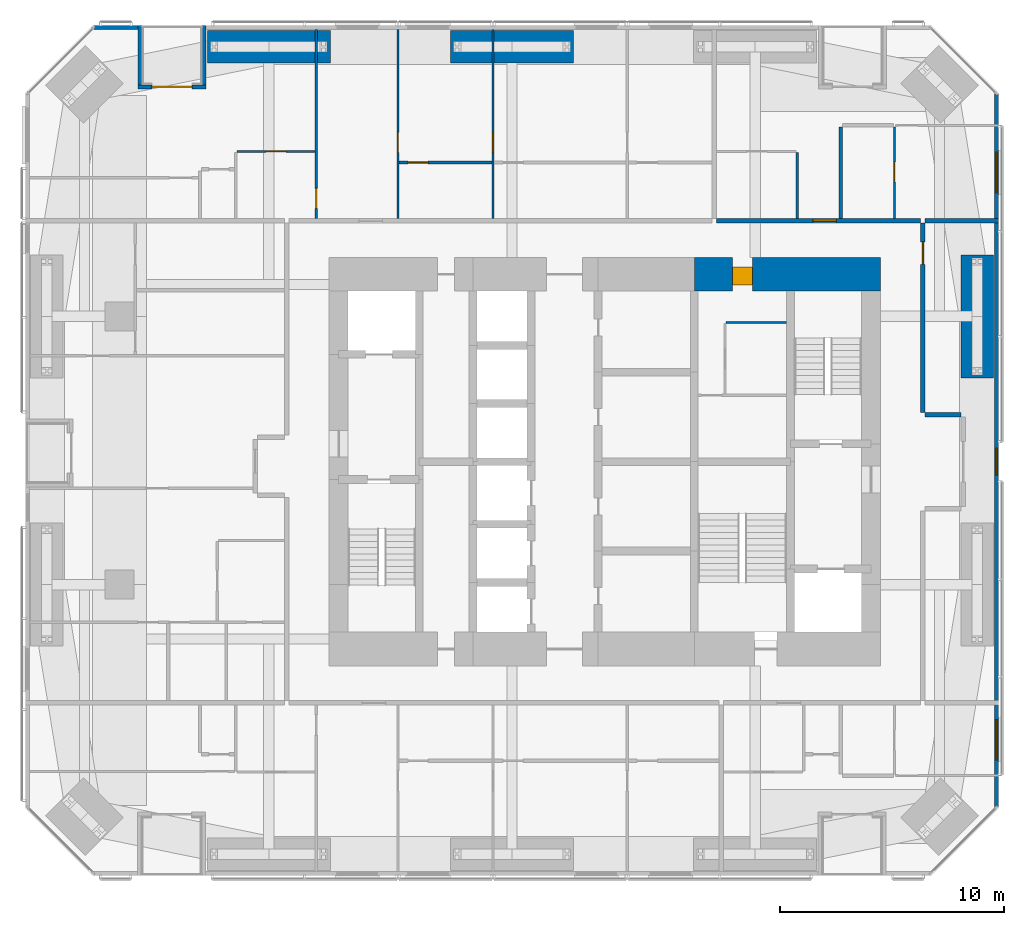
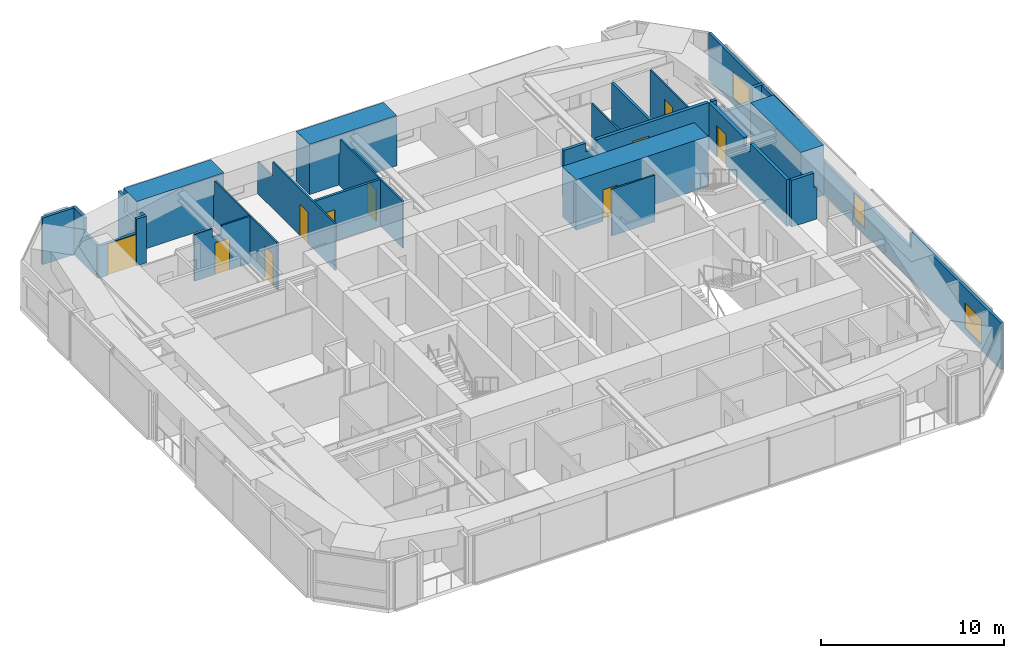
# One storey, part 21 of 23: 23 walls, 10 doors, 3 windows, 13 openings.
"""IFC4 building model written with IfcOpenShell, lengths in metres."""

from ifc_helpers import new_model, si_unit, direction, frame, frame_2d, origin, place, context, subcontext, project, spatial, polyline, rectangle, outline, extrude, material, layer, layer_set, constituent, constituent_set, type_object, element, fill, save


model = new_model("IFC4")

# Units and contexts
model_context = context("Model", 3, precision=1e-05, world=origin(), true_north=direction((0.0, 1.0)))
body_context = subcontext(model_context, "Body", "Model", "MODEL_VIEW")
ifc_project = project(units=[si_unit("LENGTHUNIT", "METRE"), si_unit("AREAUNIT", "SQUARE_METRE"), si_unit("VOLUMEUNIT", "CUBIC_METRE"), si_unit("PLANEANGLEUNIT", "RADIAN"), si_unit("MASSUNIT", "GRAM", prefix="KILO")], contexts=[model_context])

# Site, building, storey
site_placement = place(None, origin())
site = spatial("IfcSite", under=ifc_project, at=site_placement, CompositionType="ELEMENT")
building_placement = place(site_placement, origin())
building = spatial("IfcBuilding", under=site, at=building_placement, Name="Jalousie Tower", CompositionType="ELEMENT")
storey_placement = place(building_placement, frame((0.0, 0.0, 114.89990234375)))
storey = spatial("IfcBuildingStorey", under=building, at=storey_placement, Name="L31", CompositionType="ELEMENT", Elevation=114.89990234375)

# Wall, opening, door
ifc_material_1 = material(Name="Concrete block ASTM C90", Category="concrete")
ifc_constituent_1 = constituent(ifc_material_1, Name="Body")
ifc_material_2 = material(Name="Render")
ifc_constituent_2 = constituent(ifc_material_2, Name="Finish")
ifc_constituent_set_1 = constituent_set(constituents=[ifc_constituent_1, ifc_constituent_2])
wall_type_1 = type_object("IfcWallType", Name="BATHROOM WALL 150", PredefinedType="PLUMBINGWALL", material=ifc_constituent_set_1)
wall_1_placement = place(storey_placement, frame((22.699951171875, 31.875, 0.0), z_axis=(0.0, 0.0, 1.0), x_axis=(1.0, 0.0, 0.0)))
wall_1 = element("IfcWall", 1, at=wall_1_placement, inside=storey, type_object=wall_type_1, Name="Bathroom Wall 150 L31", PredefinedType="PLUMBINGWALL", context=body_context, shape_type="SweptSolid", body=[
    extrude(rectangle(XDim=4.150146484375, YDim=0.14990234375, at=frame_2d((2.0751953125, 0.0))), origin(), (0.0, 0.0, 1.0), 3.110107421875),
])
opening_1_placement = place(wall_1_placement, frame((0.39990234375, 0.0, 0.0)))
opening_1 = element("IfcOpeningElement", 2, at=opening_1_placement, cuts=wall_1, Name="Opening D3", PredefinedType="OPENING", context=body_context, shape_type="SweptSolid", body=[
    extrude(rectangle(XDim=0.89990234375, YDim=2.10009765625, at=frame_2d((0.449951171875, 1.050048828125))), frame((0.0, 0.0849609375, 0.0), z_axis=(0.0, -1.0, 0.0), x_axis=(1.0, 0.0, 0.0)), (0.0, 0.0, 1.0), 0.169921875),
])
ifc_material_3 = material(Name="Timber door", Category="wood")
door_type_1 = type_object("IfcDoorType", Name="BATHROOM DOOR 900", OperationType="SINGLE_SWING_LEFT", PredefinedType="DOOR", material=ifc_material_3)
door_1_placement = place(opening_1_placement, frame((0.89990234375, 0.0, 0.0), z_axis=(0.0, 0.0, 1.0), x_axis=(-1.0, 0.0, 0.0)))
door_1 = element("IfcDoor", 3, at=door_1_placement, inside=storey, type_object=door_type_1, Name="Apartment 3103 bedroom 1 bathroom door", OperationType="SINGLE_SWING_RIGHT", OverallHeight=2.10009765625, OverallWidth=0.89990234375, PredefinedType="DOOR", context=body_context, shape_type="SweptSolid", body=[
    extrude(rectangle(XDim=0.89990234375, YDim=2.10009765625, at=frame_2d((0.449951171875, 1.050048828125))), frame((0.0, 0.02490234375, 0.0), z_axis=(0.0, -1.0, 0.0), x_axis=(1.0, 0.0, 0.0)), (0.0, 0.0, 1.0), 0.050048828125),
])
fill(opening_1, door_1)

# Wall
wall_2_placement = place(storey_placement, frame((42.449951171875, 33.461181640625, 0.0), z_axis=(0.0, 0.0, 1.0), x_axis=(0.0, -1.0, 0.0)))
element("IfcWall", 4, at=wall_2_placement, inside=storey, type_object=wall_type_1, Name="Bathroom Wall 150 L31", PredefinedType="PLUMBINGWALL", context=body_context, shape_type="SweptSolid", body=[
    extrude(rectangle(XDim=4.086181640625, YDim=0.14990234375, at=frame_2d((2.04296875, 0.0))), origin(), (0.0, 0.0, 1.0), 3.110107421875),
])

# Wall, opening, door
ifc_material_4 = material(Name="Concrete f'c 120 MPa", Category="concrete")
ifc_layer_1 = layer(ifc_material_4, 1.5)
ifc_layer_set_1 = layer_set([ifc_layer_1], Name="Concrete f'c 120 MPa")
wall_type_2 = type_object("IfcWallType", Name="CORE WALL 1500", PredefinedType="SHEAR", material=ifc_layer_set_1)
wall_3_placement = place(storey_placement, frame((44.22509765625, 26.875, 0.0), z_axis=(0.0, 0.0, 1.0), x_axis=(-1.0, 0.0, 0.0)))
wall_3 = element("IfcWall", 5, at=wall_3_placement, inside=storey, type_object=wall_type_2, Name="Core wall NA L31", PredefinedType="SHEAR", context=body_context, shape_type="SweptSolid", body=[
    extrude(rectangle(XDim=8.3251953125, YDim=1.5, at=frame_2d((4.16259765625, 0.0))), origin(), (0.0, 0.0, 1.0), 3.35009765625),
])
opening_2_placement = place(wall_3_placement, frame((5.72509765625, 0.0, 0.0)))
opening_2 = element("IfcOpeningElement", 6, at=opening_2_placement, cuts=wall_3, Name="Opening D25", PredefinedType="OPENING", context=body_context, shape_type="SweptSolid", body=[
    extrude(rectangle(XDim=0.89990234375, YDim=2.10009765625, at=frame_2d((0.449951171875, 1.050048828125))), frame((0.0, 0.760009765625, 0.0), z_axis=(0.0, -1.0, 0.0), x_axis=(1.0, 0.0, 0.0)), (0.0, 0.0, 1.0), 1.52001953125),
])
ifc_material_5 = material(Name="Steel fire door", Category="steel")
door_type_2 = type_object("IfcDoorType", Name="SERVICE LOBBY DOOR 900", OperationType="SINGLE_SWING_LEFT", PredefinedType="DOOR", material=ifc_material_5)
door_2_placement = place(opening_2_placement, origin())
door_2 = element("IfcDoor", 7, at=door_2_placement, inside=storey, type_object=door_type_2, Name="Service lobby door", OperationType="SINGLE_SWING_LEFT", OverallHeight=2.10009765625, OverallWidth=0.89990234375, PredefinedType="DOOR", context=body_context, shape_type="SweptSolid", body=[
    extrude(rectangle(XDim=0.89990234375, YDim=2.10009765625, at=frame_2d((0.449951171875, 1.050048828125))), frame((0.0, 0.47021484375, 0.0), z_axis=(0.0, -1.0, 0.0), x_axis=(1.0, 0.0, 0.0)), (0.0, 0.0, 1.0), 0.800048828125),
])
fill(opening_2, door_2)

ifc_material_6 = material(Name="Concrete block ASTM C90", Category="concrete")
ifc_constituent_3 = constituent(ifc_material_6, Name="Body")
ifc_material_7 = material(Name="Render")
ifc_constituent_4 = constituent(ifc_material_7, Name="Finish")
ifc_constituent_set_2 = constituent_set(constituents=[ifc_constituent_3, ifc_constituent_4])
wall_type_3 = type_object("IfcWallType", Name="CORRIDOR WALL 200", PredefinedType="PARTITIONING", material=ifc_constituent_set_2)
wall_4_placement = place(storey_placement, frame((36.89990234375, 29.27490234375, 0.0), z_axis=(0.0, 0.0, 1.0), x_axis=(1.0, 0.0, 0.0)))
wall_4 = element("IfcWall", 8, at=wall_4_placement, inside=storey, type_object=wall_type_3, Name="Corridor Wall 200 L31", PredefinedType="PARTITIONING", context=body_context, shape_type="SweptSolid", body=[
    extrude(outline(polyline([(0.0, 0.0), (9.125, 0.0), (9.125, 3.110107421875), (2.0625, 3.110107421875), (2.0625, 2.541015625), (1.3876953125, 2.541015625), (1.3876953125, 3.110107421875), (0.0, 3.110107421875), (0.0, 0.0)])), frame((0.0, 0.10009765625, 0.0), z_axis=(0.0, -1.0, 0.0), x_axis=(1.0, 0.0, 0.0)), (0.0, 0.0, 1.0), 0.199951171875),
])
opening_3_placement = place(wall_4_placement, frame((4.300048828125, 0.0, 0.0)))
opening_3 = element("IfcOpeningElement", 9, at=opening_3_placement, cuts=wall_4, Name="Opening D1", PredefinedType="OPENING", context=body_context, shape_type="SweptSolid", body=[
    extrude(rectangle(XDim=1.050048828125, YDim=2.199951171875, at=frame_2d((0.52490234375, 1.10009765625))), frame((0.0, 0.10986328125, 0.0), z_axis=(0.0, -1.0, 0.0), x_axis=(1.0, 0.0, 0.0)), (0.0, 0.0, 1.0), 0.219970703125),
])
ifc_material_8 = material(Name="Timber fire door", Category="wood")
door_type_3 = type_object("IfcDoorType", Name="APARTMENT ENTRANCE DOOR 1050", OperationType="SINGLE_SWING_LEFT", PredefinedType="DOOR", material=ifc_material_8)
door_3_placement = place(opening_3_placement, origin())
door_3 = element("IfcDoor", 10, at=door_3_placement, inside=storey, type_object=door_type_3, Name="Apartment 3104 entrance", OperationType="SINGLE_SWING_RIGHT", OverallHeight=2.199951171875, OverallWidth=1.050048828125, PredefinedType="DOOR", context=body_context, shape_type="SweptSolid", body=[
    extrude(rectangle(XDim=1.050048828125, YDim=2.199951171875, at=frame_2d((0.52490234375, 1.10009765625))), frame((0.0, 0.02490234375, 0.0), z_axis=(0.0, -1.0, 0.0), x_axis=(1.0, 0.0, 0.0)), (0.0, 0.0, 1.0), 0.050048828125),
])
fill(opening_3, door_3)

wall_5_placement = place(storey_placement, frame((46.125, 20.699951171875, 0.0), z_axis=(0.0, 0.0, 1.0), x_axis=(0.0, 1.0, 0.0)))
wall_5 = element("IfcWall", 11, at=wall_5_placement, inside=storey, type_object=wall_type_3, Name="Corridor Wall 200 L31", PredefinedType="PARTITIONING", context=body_context, shape_type="SweptSolid", body=[
    extrude(outline(polyline([(0.0, 0.0), (8.47509765625, 0.0), (8.47509765625, 3.110107421875), (4.63720703125, 3.110107421875), (4.63720703125, 2.541015625), (3.962646484375, 2.541015625), (3.962646484375, 3.110107421875), (0.0, 3.110107421875), (0.0, 0.0)])), frame((0.0, 0.10009765625, 0.0), z_axis=(0.0, -1.0, 0.0), x_axis=(1.0, 0.0, 0.0)), (0.0, 0.0, 1.0), 0.199951171875),
])
opening_4_placement = place(wall_5_placement, frame((6.625, 0.0, 0.0)))
opening_4 = element("IfcOpeningElement", 12, at=opening_4_placement, cuts=wall_5, Name="Opening D21", PredefinedType="OPENING", context=body_context, shape_type="SweptSolid", body=[
    extrude(rectangle(XDim=1.0, YDim=2.10009765625, at=frame_2d((0.5, 1.050048828125))), frame((0.0, 0.10986328125, 0.0), z_axis=(0.0, -1.0, 0.0), x_axis=(1.0, 0.0, 0.0)), (0.0, 0.0, 1.0), 0.219970703125),
])
ifc_material_9 = material(Name="Timber fire door", Category="wood")
door_type_4 = type_object("IfcDoorType", Name="CORRIDOR DOOR 1000", OperationType="SINGLE_SWING_LEFT", PredefinedType="DOOR", material=ifc_material_9)
door_4_placement = place(opening_4_placement, frame((1.0, 0.0, 0.0), z_axis=(0.0, 0.0, 1.0), x_axis=(-1.0, 0.0, 0.0)))
door_4 = element("IfcDoor", 13, at=door_4_placement, inside=storey, type_object=door_type_4, Name="Lounge second door", OperationType="SINGLE_SWING_LEFT", OverallHeight=2.10009765625, OverallWidth=1.0, PredefinedType="DOOR", context=body_context, shape_type="SweptSolid", body=[
    extrude(rectangle(XDim=1.0, YDim=2.10009765625, at=frame_2d((0.5, 1.050048828125))), frame((0.0, 0.02490234375, 0.0), z_axis=(0.0, -1.0, 0.0), x_axis=(1.0, 0.0, 0.0)), (0.0, 0.0, 1.0), 0.050048828125),
])
fill(opening_4, door_4)

# Wall
wall_6_placement = place(storey_placement, frame((46.22509765625, 20.60009765625, 0.0), z_axis=(0.0, 0.0, 1.0), x_axis=(1.0, 0.0, 0.0)))
element("IfcWall", 14, at=wall_6_placement, inside=storey, type_object=wall_type_3, Name="Corridor Wall 200 L31", PredefinedType="PARTITIONING", context=body_context, shape_type="SweptSolid", body=[
    extrude(outline(polyline([(0.0, 0.0), (1.599853515625, 0.0), (1.60009765625, 3.110107421875), (1.60009765625, 2.150146484375), (1.4150390625, 2.150146484375), (1.4150390625, 3.110107421875), (0.0, 3.110107421875), (0.0, 0.0)])), frame((0.0, 0.10009765625, 0.0), z_axis=(0.0, -1.0, 0.0), x_axis=(1.0, 0.0, 0.0)), (0.0, 0.0, 1.0), 0.199951171875),
])

# Wall, openings, windows
ifc_material_10 = material(Name="Concrete f'c 40 MPa", Category="concrete")
ifc_constituent_5 = constituent(ifc_material_10, Name="Body")
ifc_material_11 = material(Name="Render, pastel sea green")
ifc_constituent_6 = constituent(ifc_material_11, Name="Finish")
ifc_constituent_set_3 = constituent_set(constituents=[ifc_constituent_5, ifc_constituent_6])
wall_type_4 = type_object("IfcWallType", Name="EXTERNAL WALL 175 SEA GREEN RENDER", PredefinedType="SOLIDWALL", material=ifc_constituent_set_3)
wall_7_placement = place(storey_placement, frame((49.41259765625, 3.05126953125, 0.0), z_axis=(0.0, 0.0, 1.0), x_axis=(0.0, 1.0, 0.0)))
wall_7 = element("IfcWall", 15, at=wall_7_placement, inside=storey, type_object=wall_type_4, Name="External Wall 175 Sea Green Render L31", PredefinedType="SOLIDWALL", context=body_context, shape_type="SweptSolid", body=[
    extrude(outline(polyline([(0.0, 0.0), (31.8974609375, 0.0), (31.8974609375, 3.110107421875), (22.167236328125, 3.110107421875), (22.167236328125, 2.150146484375), (22.074462890625, 2.150146484375), (22.074462890625, 3.110107421875), (21.94873046875, 3.110107421875), (21.94873046875, 2.150146484375), (9.94873046875, 2.150146484375), (9.94873046875, 3.110107421875), (9.822998046875, 3.110107421875), (9.822998046875, 2.150146484375), (9.72998046875, 2.150146484375), (9.72998046875, 3.110107421875), (0.0, 3.110107421875), (0.0, 0.0)])), frame((0.0, 0.08740234375, 0.0), z_axis=(0.0, -1.0, 0.0), x_axis=(1.0, 0.0, 0.0)), (0.0, 0.0, 1.0), 0.175048828125),
])
opening_5_placement = place(wall_7_placement, frame((2.1181640625, 0.0, 0.39990234375)))
opening_5 = element("IfcOpeningElement", 16, at=opening_5_placement, cuts=wall_7, Name="Opening W-BED170", PredefinedType="OPENING", context=body_context, shape_type="SweptSolid", body=[
    extrude(rectangle(XDim=1.800048828125, YDim=1.699951171875, at=frame_2d((0.89990234375, 0.85009765625))), frame((0.0, 0.097412109375, 0.0), z_axis=(0.0, -1.0, 0.0), x_axis=(1.0, 0.0, 0.0)), (0.0, 0.0, 1.0), 0.195068359375),
])
opening_6_placement = place(wall_7_placement, frame((14.8486328125, 0.0, 0.39990234375)))
opening_6 = element("IfcOpeningElement", 17, at=opening_6_placement, cuts=wall_7, Name="Opening W-COR170", PredefinedType="OPENING", context=body_context, shape_type="SweptSolid", body=[
    extrude(rectangle(XDim=1.199951171875, YDim=1.699951171875, at=frame_2d((0.60009765625, 0.85009765625))), frame((0.0, 0.097412109375, 0.0), z_axis=(0.0, -1.0, 0.0), x_axis=(1.0, 0.0, 0.0)), (0.0, 0.0, 1.0), 0.195068359375),
])
opening_7_placement = place(wall_7_placement, frame((27.479248046875, 0.0, 0.39990234375)))
opening_7 = element("IfcOpeningElement", 18, at=opening_7_placement, cuts=wall_7, Name="Opening W-BED170", PredefinedType="OPENING", context=body_context, shape_type="SweptSolid", body=[
    extrude(rectangle(XDim=1.800048828125, YDim=1.699951171875, at=frame_2d((0.89990234375, 0.85009765625))), frame((0.0, 0.097412109375, 0.0), z_axis=(0.0, -1.0, 0.0), x_axis=(1.0, 0.0, 0.0)), (0.0, 0.0, 1.0), 0.195068359375),
])
ifc_material_12 = material(Name="Aluminium frame, impact-rated glazing", Category="aluminium")
window_type_1 = type_object("IfcWindowType", Name="WINDOW BED 1800x1700", PartitioningType="SINGLE_PANEL", PredefinedType="WINDOW", material=ifc_material_12)
window_1_placement = place(opening_5_placement, origin())
window_1 = element("IfcWindow", 19, at=window_1_placement, inside=storey, type_object=window_type_1, Name="Apartment 3102 bedroom 1 window", OverallHeight=1.699951171875, OverallWidth=1.800048828125, PartitioningType="SINGLE_PANEL", PredefinedType="WINDOW", context=body_context, shape_type="SweptSolid", body=[
    extrude(rectangle(XDim=1.800048828125, YDim=1.699951171875, at=frame_2d((0.89990234375, 0.85009765625))), frame((0.0, 0.030029296875, 0.0), z_axis=(0.0, -1.0, 0.0), x_axis=(1.0, 0.0, 0.0)), (0.0, 0.0, 1.0), 0.06005859375),
])
fill(opening_5, window_1)
window_2_placement = place(opening_7_placement, origin())
window_2 = element("IfcWindow", 20, at=window_2_placement, inside=storey, type_object=window_type_1, Name="Apartment 3104 bedroom 1 window", OverallHeight=1.699951171875, OverallWidth=1.800048828125, PartitioningType="SINGLE_PANEL", PredefinedType="WINDOW", context=body_context, shape_type="SweptSolid", body=[
    extrude(rectangle(XDim=1.800048828125, YDim=1.699951171875, at=frame_2d((0.89990234375, 0.85009765625))), frame((0.0, 0.030029296875, 0.0), z_axis=(0.0, -1.0, 0.0), x_axis=(1.0, 0.0, 0.0)), (0.0, 0.0, 1.0), 0.06005859375),
])
fill(opening_7, window_2)
ifc_material_13 = material(Name="Aluminium frame, impact-rated glazing", Category="aluminium")
window_type_2 = type_object("IfcWindowType", Name="WINDOW COR 1200x1700", PartitioningType="SINGLE_PANEL", PredefinedType="WINDOW", material=ifc_material_13)
window_3_placement = place(opening_6_placement, origin())
window_3 = element("IfcWindow", 21, at=window_3_placement, inside=storey, type_object=window_type_2, Name="Residents' lounge window", OverallHeight=1.699951171875, OverallWidth=1.199951171875, PartitioningType="SINGLE_PANEL", PredefinedType="WINDOW", context=body_context, shape_type="SweptSolid", body=[
    extrude(rectangle(XDim=1.199951171875, YDim=1.699951171875, at=frame_2d((0.60009765625, 0.85009765625))), frame((0.0, 0.030029296875, 0.0), z_axis=(0.0, -1.0, 0.0), x_axis=(1.0, 0.0, 0.0)), (0.0, 0.0, 1.0), 0.06005859375),
])
fill(opening_6, window_3)

# Walls
wall_8_placement = place(storey_placement, frame((11.02490234375, 37.91259765625, 0.0), z_axis=(0.0, 0.0, 1.0), x_axis=(-1.0, 0.0, 0.0)))
element("IfcWall", 22, at=wall_8_placement, inside=storey, type_object=wall_type_4, Name="External Wall 175 Sea Green Render L31", PredefinedType="SOLIDWALL", context=body_context, shape_type="SweptSolid", body=[
    extrude(rectangle(XDim=1.9736328125, YDim=0.175048828125, at=frame_2d((0.98681640625, 0.0))), origin(), (0.0, 0.0, 1.0), 3.110107421875),
])
wall_9_placement = place(storey_placement, frame((14.074951171875, 35.262451171875, 0.0), z_axis=(0.0, 0.0, 1.0), x_axis=(-1.0, 0.0, 0.0)))
element("IfcWall", 23, at=wall_9_placement, inside=storey, type_object=wall_type_4, Name="External Wall 175 Sea Green Render L31-A", PredefinedType="SOLIDWALL", context=body_context, shape_type="SweptSolid", body=[
    extrude(rectangle(XDim=0.625, YDim=0.175048828125, at=frame_2d((0.3125, 0.0))), origin(), (0.0, 0.0, 1.0), 3.110107421875),
])

# Wall, opening, door
wall_10_placement = place(storey_placement, frame((13.449951171875, 35.262451171875, 0.0), z_axis=(0.0, 0.0, 1.0), x_axis=(-1.0, 0.0, 0.0)))
wall_10 = element("IfcWall", 24, at=wall_10_placement, inside=storey, type_object=wall_type_4, Name="External Wall 175 Sea Green Render L31-B", PredefinedType="SOLIDWALL", context=body_context, shape_type="SweptSolid", body=[
    extrude(rectangle(XDim=2.425048828125, YDim=0.175048828125, at=frame_2d((1.21240234375, 0.0))), origin(), (0.0, 0.0, 1.0), 2.150146484375),
])
opening_8_placement = place(wall_10_placement, origin())
opening_8 = element("IfcOpeningElement", 25, at=opening_8_placement, cuts=wall_10, Name="Opening D-BAL21", PredefinedType="OPENING", context=body_context, shape_type="SweptSolid", body=[
    extrude(rectangle(XDim=1.800048828125, YDim=2.10009765625, at=frame_2d((0.89990234375, 1.050048828125))), frame((0.0, 0.097412109375, 0.0), z_axis=(0.0, -1.0, 0.0), x_axis=(1.0, 0.0, 0.0)), (0.0, 0.0, 1.0), 0.195068359375),
])
ifc_material_14 = material(Name="Aluminium frame, impact-rated glazing", Category="aluminium")
door_type_5 = type_object("IfcDoorType", Name="BALCONY DOOR 1800x2100", OperationType="SLIDING_TO_LEFT", PredefinedType="DOOR", material=ifc_material_14)
door_5_placement = place(opening_8_placement, origin())
door_5 = element("IfcDoor", 26, at=door_5_placement, inside=storey, type_object=door_type_5, Name="Apartment 3103 living and dining room loggia door", OperationType="SLIDING_TO_LEFT", OverallHeight=2.10009765625, OverallWidth=1.800048828125, PredefinedType="DOOR", context=body_context, shape_type="SweptSolid", body=[
    extrude(rectangle(XDim=1.800048828125, YDim=2.10009765625, at=frame_2d((0.89990234375, 1.050048828125))), frame((0.0, 0.02490234375, 0.0), z_axis=(0.0, -1.0, 0.0), x_axis=(1.0, 0.0, 0.0)), (0.0, 0.0, 1.0), 0.050048828125),
])
fill(opening_8, door_5)

# Walls
wall_11_placement = place(storey_placement, frame((13.987548828125, 38.0, 0.0), z_axis=(0.0, 0.0, 1.0), x_axis=(0.0, -1.0, 0.0)))
element("IfcWall", 27, at=wall_11_placement, inside=storey, type_object=wall_type_4, Name="External Wall 175 Sea Green Render L31", PredefinedType="SOLIDWALL", context=body_context, shape_type="SweptSolid", body=[
    extrude(outline(polyline([(0.0, 0.0), (2.64990234375, 0.0), (2.64990234375, 3.110107421875), (2.373291015625, 3.110107421875), (2.373291015625, 2.150146484375), (0.70458984375, 2.150146484375), (0.70458984375, 3.110107421875), (0.0, 3.110107421875), (0.0, 0.0)])), frame((0.0, 0.08740234375, 0.0), z_axis=(0.0, -1.0, 0.0), x_axis=(1.0, 0.0, 0.0)), (0.0, 0.0, 1.0), 0.175048828125),
])
wall_12_placement = place(storey_placement, frame((11.112548828125, 38.0, 0.0), z_axis=(0.0, 0.0, 1.0), x_axis=(0.0, -1.0, 0.0)))
element("IfcWall", 28, at=wall_12_placement, inside=storey, type_object=wall_type_4, Name="External Wall 175 Sea Green Render L31", PredefinedType="SOLIDWALL", context=body_context, shape_type="SweptSolid", body=[
    extrude(outline(polyline([(0.0, 0.0), (2.64990234375, 0.0), (2.64990234375, 2.150146484375), (1.291015625, 2.150146484375), (1.291015625, 3.110107421875), (0.0, 3.110107421875), (0.0, 0.0)])), frame((0.0, 0.08740234375, 0.0), z_axis=(0.0, -1.0, 0.0), x_axis=(1.0, 0.0, 0.0)), (0.0, 0.0, 1.0), 0.175048828125),
])

# Wall, opening, door
ifc_material_15 = material(Name="Gypsum board", Category="gypsum")
ifc_constituent_7 = constituent(ifc_material_15, Name="Body")
ifc_material_16 = material(Name="Light-gauge steel studs ASTM A653 SS Grade 33", Category="steel")
ifc_constituent_8 = constituent(ifc_material_16, Name="Framing")
ifc_constituent_set_4 = constituent_set(constituents=[ifc_constituent_7, ifc_constituent_8])
wall_type_5 = type_object("IfcWallType", Name="PARTITION 100", PredefinedType="PARTITIONING", material=ifc_constituent_set_4)
wall_13_placement = place(storey_placement, frame((22.64990234375, 37.824951171875, 0.0), z_axis=(0.0, 0.0, 1.0), x_axis=(0.0, -1.0, 0.0)))
wall_13 = element("IfcWall", 29, at=wall_13_placement, inside=storey, type_object=wall_type_5, Name="Partition 100 L31", PredefinedType="PARTITIONING", context=body_context, shape_type="SweptSolid", body=[
    extrude(outline(polyline([(0.0, 0.0), (8.449951171875, 0.0), (8.449951171875, 3.110107421875), (1.635009765625, 3.110107421875), (1.635009765625, 2.150146484375), (0.0, 2.150146484375), (0.0, 3.110107421875), (0.0, 0.0)])), frame((0.0, 0.050048828125, 0.0), z_axis=(0.0, -1.0, 0.0), x_axis=(1.0, 0.0, 0.0)), (0.0, 0.0, 1.0), 0.10009765625),
])
opening_9_placement = place(wall_13_placement, frame((4.60009765625, 0.0, 0.0)))
opening_9 = element("IfcOpeningElement", 30, at=opening_9_placement, cuts=wall_13, Name="Opening D2", PredefinedType="OPENING", context=body_context, shape_type="SweptSolid", body=[
    extrude(rectangle(XDim=0.89990234375, YDim=2.10009765625, at=frame_2d((0.449951171875, 1.050048828125))), frame((0.0, 0.06005859375, 0.0), z_axis=(0.0, -1.0, 0.0), x_axis=(1.0, 0.0, 0.0)), (0.0, 0.0, 1.0), 0.1201171875),
])
ifc_material_17 = material(Name="Timber door", Category="wood")
door_type_6 = type_object("IfcDoorType", Name="BEDROOM DOOR 900", OperationType="SINGLE_SWING_LEFT", PredefinedType="DOOR", material=ifc_material_17)
door_6_placement = place(opening_9_placement, origin())
door_6 = element("IfcDoor", 31, at=door_6_placement, inside=storey, type_object=door_type_6, Name="Apartment 3103 bedroom 1 door", OperationType="SINGLE_SWING_RIGHT", OverallHeight=2.10009765625, OverallWidth=0.89990234375, PredefinedType="DOOR", context=body_context, shape_type="SweptSolid", body=[
    extrude(rectangle(XDim=0.89990234375, YDim=2.10009765625, at=frame_2d((0.449951171875, 1.050048828125))), frame((0.0, 0.02490234375, 0.0), z_axis=(0.0, -1.0, 0.0), x_axis=(1.0, 0.0, 0.0)), (0.0, 0.0, 1.0), 0.050048828125),
])
fill(opening_9, door_6)

wall_14_placement = place(storey_placement, frame((26.89990234375, 37.824951171875, 0.0), z_axis=(0.0, 0.0, 1.0), x_axis=(0.0, -1.0, 0.0)))
wall_14 = element("IfcWall", 32, at=wall_14_placement, inside=storey, type_object=wall_type_5, Name="Partition 100 L31", PredefinedType="PARTITIONING", context=body_context, shape_type="SweptSolid", body=[
    extrude(outline(polyline([(0.52880859375, 2.150146484375), (0.0, 2.150146484375), (0.0, 0.0), (0.52880859375, 0.0), (0.52880859375, 0.888916015625), (1.021240234375, 0.888916015625), (1.021240234375, 0.0), (8.449951171875, 0.0), (8.449951171875, 3.110107421875), (1.635009765625, 3.110107421875), (1.635009765625, 2.150146484375), (1.021240234375, 2.150146484375), (1.021240234375, 1.26123046875), (0.52880859375, 1.26123046875), (0.52880859375, 2.150146484375)])), frame((0.0, 0.050048828125, 0.0), z_axis=(0.0, -1.0, 0.0), x_axis=(1.0, 0.0, 0.0)), (0.0, 0.0, 1.0), 0.10009765625),
])
opening_10_placement = place(wall_14_placement, frame((4.60009765625, 0.0, 0.0)))
opening_10 = element("IfcOpeningElement", 33, at=opening_10_placement, cuts=wall_14, Name="Opening D2", PredefinedType="OPENING", context=body_context, shape_type="SweptSolid", body=[
    extrude(rectangle(XDim=0.89990234375, YDim=2.10009765625, at=frame_2d((0.449951171875, 1.050048828125))), frame((0.0, 0.06005859375, 0.0), z_axis=(0.0, -1.0, 0.0), x_axis=(1.0, 0.0, 0.0)), (0.0, 0.0, 1.0), 0.1201171875),
])
door_7_placement = place(opening_10_placement, origin())
door_7 = element("IfcDoor", 34, at=door_7_placement, inside=storey, type_object=door_type_6, Name="Apartment 3103 bedroom 2 door", OperationType="SINGLE_SWING_RIGHT", OverallHeight=2.10009765625, OverallWidth=0.89990234375, PredefinedType="DOOR", context=body_context, shape_type="SweptSolid", body=[
    extrude(rectangle(XDim=0.89990234375, YDim=2.10009765625, at=frame_2d((0.449951171875, 1.050048828125))), frame((0.0, 0.02490234375, 0.0), z_axis=(0.0, -1.0, 0.0), x_axis=(1.0, 0.0, 0.0)), (0.0, 0.0, 1.0), 0.050048828125),
])
fill(opening_10, door_7)

wall_15_placement = place(storey_placement, frame((19.0, 37.824951171875, 0.0), z_axis=(0.0, 0.0, 1.0), x_axis=(0.0, -1.0, 0.0)))
wall_15 = element("IfcWall", 35, at=wall_15_placement, inside=storey, type_object=wall_type_5, Name="Partition 100 L31", PredefinedType="PARTITIONING", context=body_context, shape_type="SweptSolid", body=[
    extrude(outline(polyline([(0.52880859375, 2.150146484375), (0.0, 2.150146484375), (0.0, 0.0), (0.52880859375, 0.0), (0.52880859375, 0.01708984375), (1.021240234375, 0.01708984375), (1.021240234375, 0.0), (8.449951171875, 0.0), (8.449951171875, 3.110107421875), (1.635009765625, 3.110107421875), (1.635009765625, 2.150146484375), (1.021240234375, 2.150146484375), (1.021240234375, 2.133056640625), (0.52880859375, 2.133056640625), (0.52880859375, 2.150146484375)])), frame((0.0, 0.050048828125, 0.0), z_axis=(0.0, -1.0, 0.0), x_axis=(1.0, 0.0, 0.0)), (0.0, 0.0, 1.0), 0.10009765625),
])
opening_11_placement = place(wall_15_placement, frame((7.10009765625, 0.0, 0.0)))
opening_11 = element("IfcOpeningElement", 36, at=opening_11_placement, cuts=wall_15, Name="Opening D2", PredefinedType="OPENING", context=body_context, shape_type="SweptSolid", body=[
    extrude(rectangle(XDim=0.89990234375, YDim=2.10009765625, at=frame_2d((0.449951171875, 1.050048828125))), frame((0.0, 0.06005859375, 0.0), z_axis=(0.0, -1.0, 0.0), x_axis=(1.0, 0.0, 0.0)), (0.0, 0.0, 1.0), 0.1201171875),
])
door_8_placement = place(opening_11_placement, origin())
door_8 = element("IfcDoor", 37, at=door_8_placement, inside=storey, type_object=door_type_6, Name="Apartment 3103 study door", OperationType="SINGLE_SWING_RIGHT", OverallHeight=2.10009765625, OverallWidth=0.89990234375, PredefinedType="DOOR", context=body_context, shape_type="SweptSolid", body=[
    extrude(rectangle(XDim=0.89990234375, YDim=2.10009765625, at=frame_2d((0.449951171875, 1.050048828125))), frame((0.0, 0.02490234375, 0.0), z_axis=(0.0, -1.0, 0.0), x_axis=(1.0, 0.0, 0.0)), (0.0, 0.0, 1.0), 0.050048828125),
])
fill(opening_11, door_8)

wall_16_placement = place(storey_placement, frame((15.449951171875, 32.375, 0.0), z_axis=(0.0, 0.0, 1.0), x_axis=(1.0, 0.0, 0.0)))
wall_16 = element("IfcWall", 38, at=wall_16_placement, inside=storey, type_object=wall_type_5, Name="Partition 100 L31", PredefinedType="PARTITIONING", context=body_context, shape_type="SweptSolid", body=[
    extrude(outline(polyline([(0.0, 0.0), (3.5, 0.0), (3.5, 3.110107421875), (1.71240234375, 3.110107421875), (1.71240234375, 2.541015625), (1.1376953125, 2.541015625), (1.1376953125, 3.110107421875), (0.0, 3.110107421875), (0.0, 0.0)])), frame((0.0, 0.050048828125, 0.0), z_axis=(0.0, -1.0, 0.0), x_axis=(1.0, 0.0, 0.0)), (0.0, 0.0, 1.0), 0.10009765625),
])
opening_12_placement = place(wall_16_placement, frame((1.300048828125, 0.0, 0.0)))
opening_12 = element("IfcOpeningElement", 39, at=opening_12_placement, cuts=wall_16, Name="Opening D7", PredefinedType="OPENING", context=body_context, shape_type="SweptSolid", body=[
    extrude(rectangle(XDim=0.89990234375, YDim=2.10009765625, at=frame_2d((0.449951171875, 1.050048828125))), frame((0.0, 0.06005859375, 0.0), z_axis=(0.0, -1.0, 0.0), x_axis=(1.0, 0.0, 0.0)), (0.0, 0.0, 1.0), 0.1201171875),
])
ifc_material_18 = material(Name="Timber door", Category="wood")
door_type_7 = type_object("IfcDoorType", Name="INTERNAL DOOR 900", OperationType="SINGLE_SWING_LEFT", PredefinedType="DOOR", material=ifc_material_18)
door_9_placement = place(opening_12_placement, origin())
door_9 = element("IfcDoor", 40, at=door_9_placement, inside=storey, type_object=door_type_7, Name="Apartment 3103 kitchen door", OperationType="SINGLE_SWING_RIGHT", OverallHeight=2.10009765625, OverallWidth=0.89990234375, PredefinedType="DOOR", context=body_context, shape_type="SweptSolid", body=[
    extrude(rectangle(XDim=0.89990234375, YDim=2.10009765625, at=frame_2d((0.449951171875, 1.050048828125))), frame((0.0, 0.02490234375, 0.0), z_axis=(0.0, -1.0, 0.0), x_axis=(1.0, 0.0, 0.0)), (0.0, 0.0, 1.0), 0.050048828125),
])
fill(opening_12, door_9)

wall_17_placement = place(storey_placement, frame((44.85009765625, 33.461181640625, 0.0), z_axis=(0.0, 0.0, 1.0), x_axis=(0.0, -1.0, 0.0)))
wall_17 = element("IfcWall", 41, at=wall_17_placement, inside=storey, type_object=wall_type_5, Name="Partition 100 L31", PredefinedType="PARTITIONING", context=body_context, shape_type="SweptSolid", body=[
    extrude(rectangle(XDim=4.086181640625, YDim=0.10009765625, at=frame_2d((2.04296875, 0.0))), origin(), (0.0, 0.0, 1.0), 3.110107421875),
])
opening_13_placement = place(wall_17_placement, frame((1.5556640625, 0.0, 0.0)))
opening_13 = element("IfcOpeningElement", 42, at=opening_13_placement, cuts=wall_17, Name="Opening D3", PredefinedType="OPENING", context=body_context, shape_type="SweptSolid", body=[
    extrude(rectangle(XDim=0.89990234375, YDim=2.10009765625, at=frame_2d((0.449951171875, 1.050048828125))), frame((0.0, 0.06005859375, 0.0), z_axis=(0.0, -1.0, 0.0), x_axis=(1.0, 0.0, 0.0)), (0.0, 0.0, 1.0), 0.1201171875),
])
door_10_placement = place(opening_13_placement, frame((0.89990234375, 0.0, 0.0), z_axis=(0.0, 0.0, 1.0), x_axis=(-1.0, 0.0, 0.0)))
door_10 = element("IfcDoor", 43, at=door_10_placement, inside=storey, type_object=door_type_1, Name="Apartment 3104 bedroom 1 bathroom door", OperationType="SINGLE_SWING_RIGHT", OverallHeight=2.10009765625, OverallWidth=0.89990234375, PredefinedType="DOOR", context=body_context, shape_type="SweptSolid", body=[
    extrude(rectangle(XDim=0.89990234375, YDim=2.10009765625, at=frame_2d((0.449951171875, 1.050048828125))), frame((0.0, 0.02490234375, 0.0), z_axis=(0.0, -1.0, 0.0), x_axis=(1.0, 0.0, 0.0)), (0.0, 0.0, 1.0), 0.050048828125),
])
fill(opening_13, door_10)

# Walls
wall_18_placement = place(storey_placement, frame((40.5, 32.324951171875, 0.0), z_axis=(0.0, 0.0, 1.0), x_axis=(0.0, -1.0, 0.0)))
element("IfcWall", 44, at=wall_18_placement, inside=storey, type_object=wall_type_5, Name="Partition 100 L31", PredefinedType="PARTITIONING", context=body_context, shape_type="SweptSolid", body=[
    extrude(rectangle(XDim=2.949951171875, YDim=0.10009765625, at=frame_2d((1.47509765625, 0.0))), origin(), (0.0, 0.0, 1.0), 3.110107421875),
])
wall_19_placement = place(storey_placement, frame((37.324951171875, 24.72509765625, 0.0), z_axis=(0.0, 0.0, 1.0), x_axis=(1.0, 0.0, 0.0)))
element("IfcWall", 45, at=wall_19_placement, inside=storey, type_object=wall_type_5, Name="Partition 100 L31", PredefinedType="PARTITIONING", context=body_context, shape_type="SweptSolid", body=[
    extrude(rectangle(XDim=2.699951171875, YDim=0.10009765625, at=frame_2d((1.35009765625, 0.0))), origin(), (0.0, 0.0, 1.0), 3.110107421875),
])
ifc_material_19 = material(Name="Concrete block ASTM C90", Category="concrete")
ifc_constituent_9 = constituent(ifc_material_19, Name="Body")
ifc_material_20 = material(Name="Render")
ifc_constituent_10 = constituent(ifc_material_20, Name="Finish")
ifc_constituent_set_5 = constituent_set(constituents=[ifc_constituent_9, ifc_constituent_10])
wall_type_6 = type_object("IfcWallType", Name="PARTY WALL 200", PredefinedType="PARTITIONING", material=ifc_constituent_set_5)
wall_20_placement = place(storey_placement, frame((46.22509765625, 29.27490234375, 0.0), z_axis=(0.0, 0.0, 1.0), x_axis=(1.0, 0.0, 0.0)))
element("IfcWall", 46, at=wall_20_placement, inside=storey, type_object=wall_type_6, Name="Party Wall 200 L31", PredefinedType="PARTITIONING", context=body_context, shape_type="SweptSolid", body=[
    extrude(outline(polyline([(0.0, 0.0), (3.27490234375, 0.0), (3.27490234375, 3.110107421875), (2.5537109375, 3.110107421875), (2.5537109375, 2.150146484375), (0.80517578125, 2.150146484375), (0.80517578125, 2.541015625), (0.30615234375, 2.541015625), (0.30615234375, 3.110107421875), (0.0, 3.110107421875), (0.0, 0.0)])), frame((0.0, 0.10009765625, 0.0), z_axis=(0.0, -1.0, 0.0), x_axis=(1.0, 0.0, 0.0)), (0.0, 0.0, 1.0), 0.199951171875),
])
ifc_material_21 = material(Name="Concrete f'c 120 MPa", Category="concrete")
ifc_layer_2 = layer(ifc_material_21, 1.449951171875)
ifc_layer_set_2 = layer_set([ifc_layer_2], Name="Concrete f'c 120 MPa")
wall_type_7 = type_object("IfcWallType", Name="RC WALL PIER 1450", PredefinedType="SHEAR", material=ifc_layer_set_2)
for number, where, z_axis, x_axis, name in (
    (47, (48.550048828125, 22.25, 0.0), (0.0, 0.0, 1.0), (0.0, 1.0, 0.0), "Wall pier 07 L31"),
    (48, (25.0, 37.050048828125, 0.0), (0.0, 0.0, 1.0), (1.0, 0.0, 0.0), "Wall pier 10 L31"),
    (49, (14.125, 37.050048828125, 0.0), (0.0, 0.0, 1.0), (1.0, 0.0, 0.0), "Wall pier 11 L31"),
):
    element("IfcWall", number, at=place(storey_placement, frame(where, z_axis=z_axis, x_axis=x_axis)), inside=storey, type_object=wall_type_7, Name=name, PredefinedType="SHEAR", context=body_context, shape_type="SweptSolid", body=[
        extrude(rectangle(XDim=5.5, YDim=1.449951171875, at=frame_2d((2.75, 0.0))), origin(), (0.0, 0.0, 1.0), 3.35009765625),
    ])

save(model, "model.ifc")
